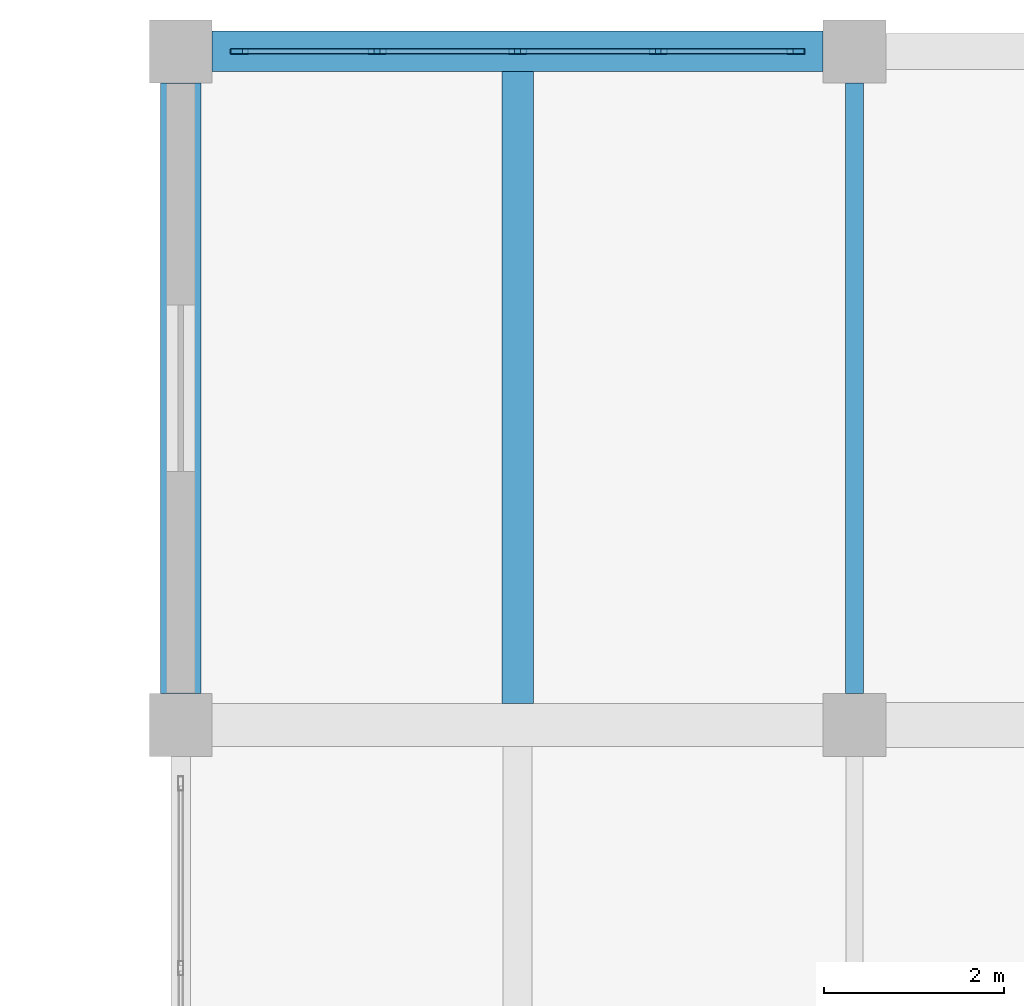
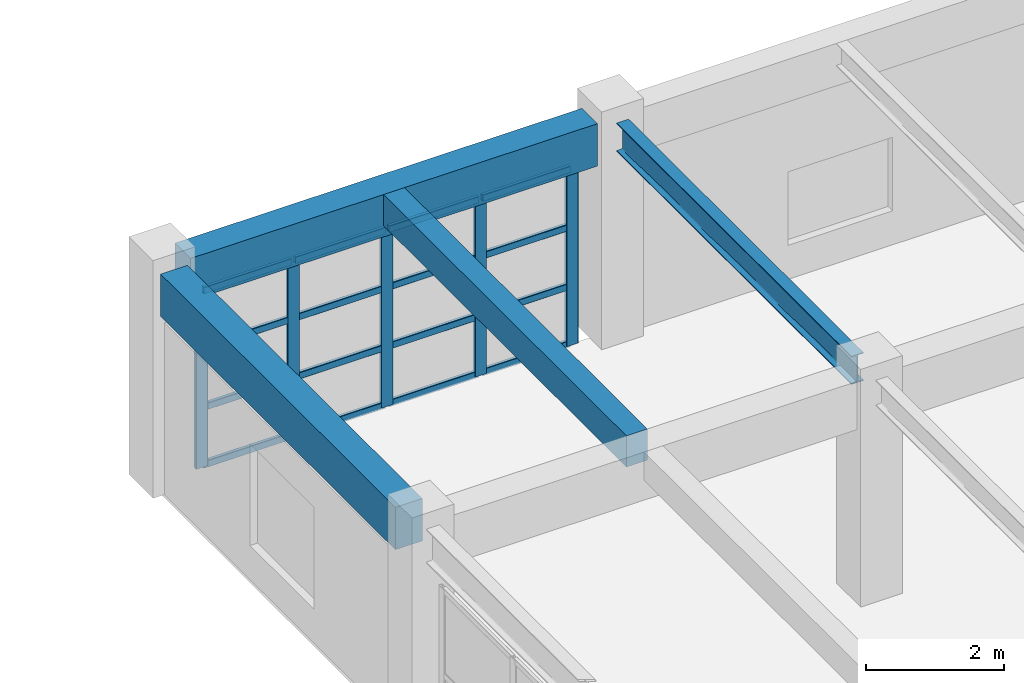
# One storey, part 63 of 132: 21 members, 4 beams, 1 element without a shape of its own.
"""IFC4 building model written with IfcOpenShell, lengths in metres."""

import ifcopenshell
import ifcopenshell.guid

model = None  # the IFC model being written
_history = None  # IfcOwnerHistory: only IFC2X3 demands one
_inside = {}  # id of a spatial element -> (the spatial element, [elements in it])
_under = {}  # id of a project, library or spatial element -> (it, [spatial elements below it])
_declared = {}  # id of a project -> (the project, [libraries it declares])
_typed = {}  # id of a type object -> (the type object, [elements of that type])
_made_of = {}  # id of a material, layer set ... -> (it, [elements and type objects made of it])


def new_model(schema):
    """Start an empty IFC model of exactly this schema.

    Asked for "IFC4X3", IfcOpenShell would pick the latest addendum, in which some entities
    have other attributes; the version numbers below select the first issue.
    IFC2X3 requires an IfcOwnerHistory on every rooted entity: one is made here for all.
    """
    global model, _history
    if schema == "IFC4X3":
        model = ifcopenshell.file(schema_version=(4, 3, 0, 0))
    else:
        model = ifcopenshell.file(schema=schema)
    _inside.clear()
    _under.clear()
    _declared.clear()
    _typed.clear()
    _made_of.clear()
    _history = None
    if model.schema == "IFC2X3":
        org = make("IfcOrganization", Name="unknown")
        user = make(
            "IfcPersonAndOrganization",
            ThePerson=make("IfcPerson", FamilyName="unknown"),
            TheOrganization=org,
        )
        app = make(
            "IfcApplication",
            ApplicationDeveloper=org,
            Version="unknown",
            ApplicationFullName="unknown",
            ApplicationIdentifier="unknown",
        )
        _history = make(
            "IfcOwnerHistory",
            OwningUser=user,
            OwningApplication=app,
            ChangeAction="ADDED",
            CreationDate=0,
        )
    return model


def make(cls, **values):
    """One entity of the class cls with the attributes given. An attribute that is None is left unset."""
    return model.create_entity(
        cls, **{name: value for name, value in values.items() if value is not None}
    )


def rooted(cls, **values):
    """An entity with a GlobalId (a new one), such as an element, a storey or a relation."""
    return make(cls, GlobalId=ifcopenshell.guid.new(), OwnerHistory=_history, **values)


def si_unit(unit_type, name, prefix=None):
    """IfcSIUnit, for example si_unit("LENGTHUNIT", "METRE", prefix="MILLI")."""
    return make("IfcSIUnit", UnitType=unit_type, Prefix=prefix, Name=name)


def assignment(units):
    """IfcUnitAssignment: the units of a project."""
    return None if units is None else make("IfcUnitAssignment", Units=units)


def point(xyz):
    """IfcCartesianPoint."""
    return None if xyz is None else make("IfcCartesianPoint", Coordinates=xyz)


def direction(xyz):
    """IfcDirection."""
    return None if xyz is None else make("IfcDirection", DirectionRatios=xyz)


def frame(location, z_axis=None, x_axis=None):
    """IfcAxis2Placement3D, a coordinate frame: its origin and axes. An axis left out is left unset."""
    return make(
        "IfcAxis2Placement3D",
        Location=point(location),
        Axis=direction(z_axis),
        RefDirection=direction(x_axis),
    )


def frame_2d(location, x_axis=None):
    """IfcAxis2Placement2D, a coordinate frame in the plane: its origin and x axis."""
    return make(
        "IfcAxis2Placement2D", Location=point(location), RefDirection=direction(x_axis)
    )


def origin():
    """The frame at (0, 0, 0) with its axes left unset."""
    return frame((0.0, 0.0, 0.0))


def origin_2d():
    """The frame at (0, 0) in the plane with its x axis left unset."""
    return frame_2d((0.0, 0.0))


def place(relative_to, where):
    """IfcLocalPlacement: puts the frame where relative to a parent placement (None: the world)."""
    return make(
        "IfcLocalPlacement", PlacementRelTo=relative_to, RelativePlacement=where
    )


def context(
    kind, dimensions, precision=None, world=None, true_north=None, identifier=None
):
    """IfcGeometricRepresentationContext, for example the 3D "Model" context."""
    return make(
        "IfcGeometricRepresentationContext",
        ContextIdentifier=identifier,
        ContextType=kind,
        CoordinateSpaceDimension=dimensions,
        Precision=precision,
        WorldCoordinateSystem=world,
        TrueNorth=true_north,
    )


def subcontext(parent, identifier, kind, view, scale=None):
    """IfcGeometricRepresentationSubContext, for example "Body" below "Model"."""
    return make(
        "IfcGeometricRepresentationSubContext",
        ContextIdentifier=identifier,
        ContextType=kind,
        ParentContext=parent,
        TargetScale=scale,
        TargetView=view,
    )


def project(units=None, contexts=None):
    """IfcProject with its units and contexts."""
    return rooted(
        "IfcProject",
        Name="project",
        RepresentationContexts=contexts,
        UnitsInContext=assignment(units),
    )


def spatial(cls, under=None, at=None, **own):
    """A site, building, storey or space (cls), placed at a placement, below another one or the project."""
    s = rooted(cls, ObjectPlacement=at, **own)
    if under is not None:
        _under.setdefault(under.id(), (under, []))[1].append(s)
    return s


def profile(cls, at=None, kind="AREA", **sizes):
    """A parametric profile (cls). Its sizes go by their IFC names, for example OverallWidth=200.0."""
    return make(cls, ProfileType=kind, Position=at, **sizes)


def rectangle(**sizes):
    """IfcRectangleProfileDef."""
    return profile("IfcRectangleProfileDef", **sizes)


def hollow_rectangle(**sizes):
    """IfcRectangleHollowProfileDef."""
    return profile("IfcRectangleHollowProfileDef", **sizes)


def i_section(**sizes):
    """IfcIShapeProfileDef."""
    return profile("IfcIShapeProfileDef", **sizes)


def extrude(swept, where, along, depth):
    """IfcExtrudedAreaSolid: the profile swept, set in the frame where, extruded along a direction by depth."""
    return make(
        "IfcExtrudedAreaSolid",
        SweptArea=swept,
        Position=where,
        ExtrudedDirection=direction(along),
        Depth=depth,
    )


def shape(context_of_items, identifier, shape_type, items):
    """IfcShapeRepresentation: the items that make up one representation, for example the "Body"."""
    return make(
        "IfcShapeRepresentation",
        ContextOfItems=context_of_items,
        RepresentationIdentifier=identifier,
        RepresentationType=shape_type,
        Items=items,
    )


def material(Name=None, Category=None):
    """IfcMaterial."""
    return make("IfcMaterial", Name=Name, Category=Category)


def material_profile(
    of_material, cross_section, Name=None, Category=None, Priority=None
):
    """IfcMaterialProfile: a cross section and its material."""
    return make(
        "IfcMaterialProfile",
        Name=Name,
        Material=of_material,
        Profile=cross_section,
        Priority=Priority,
        Category=Category,
    )


def profile_set(profiles, Name=None, composite=None):
    """IfcMaterialProfileSet."""
    return make(
        "IfcMaterialProfileSet",
        Name=Name,
        MaterialProfiles=profiles,
        CompositeProfile=composite,
    )


def made_of(thing, what):
    """Note that an element or type object is made of a material, layer set ...; save() writes the relation."""
    if what is not None:
        _made_of.setdefault(what.id(), (what, []))[1].append(thing)
    return thing


def type_object(cls, material=None, **own):
    """A type object (cls), such as IfcWallType, which elements share."""
    return made_of(rooted(cls, **own), material)


def element(
    cls,
    number,
    at=None,
    inside=None,
    cuts=None,
    type_object=None,
    material=None,
    context=None,
    identifier="Body",
    shape_type=None,
    held_by="IfcProductDefinitionShape",
    body=None,
    shapes=None,
    **own,
):
    """One element of the class cls, such as IfcWall. Its Tag is "e" and its number.

    at: its placement. inside: the storey or other place that contains it. cuts: it is an
    opening in that element (IfcRelVoidsElement). A single representation is given by context,
    identifier, shape_type and body (its items); several are given by shapes. held_by: the class
    of the entity that holds the representations. save() writes the other relations.
    """
    e = rooted(cls, Tag="e%d" % number, ObjectPlacement=at, **own)
    if body is not None:
        shapes = [shape(context, identifier, shape_type, body)]
    if shapes is not None:
        e.Representation = make(held_by, Representations=shapes)
    if inside is not None:
        _inside.setdefault(inside.id(), (inside, []))[1].append(e)
    if cuts is not None:
        rooted(
            "IfcRelVoidsElement", RelatingBuildingElement=cuts, RelatedOpeningElement=e
        )
    if type_object is not None:
        _typed.setdefault(type_object.id(), (type_object, []))[1].append(e)
    return made_of(e, material)


def aggregate(whole, parts):
    """IfcRelAggregates: a whole, such as a stair, and the parts it consists of."""
    return rooted("IfcRelAggregates", RelatingObject=whole, RelatedObjects=parts)


def save(model, path):
    """Write the relations noted so far, then the file.

    IfcRelAggregates (storeys below a building ...), IfcRelContainedInSpatialStructure (elements
    in a storey), IfcRelDefinesByType, IfcRelAssociatesMaterial and IfcRelDeclares: one each for
    every whole, place, type object, material and project.
    """
    for whole, parts in _under.values():
        aggregate(whole, parts)
    for where, things in _inside.values():
        rooted(
            "IfcRelContainedInSpatialStructure",
            RelatedElements=things,
            RelatingStructure=where,
        )
    for kind, things in _typed.values():
        rooted("IfcRelDefinesByType", RelatedObjects=things, RelatingType=kind)
    for what, things in _made_of.values():
        rooted("IfcRelAssociatesMaterial", RelatedObjects=things, RelatingMaterial=what)
    for by, libraries in _declared.values():
        rooted("IfcRelDeclares", RelatingContext=by, RelatedDefinitions=libraries)
    model.write(path)


model = new_model("IFC4")

# Units and contexts
model_context = context("Model", 3, precision=1e-05, world=origin(), true_north=direction((0.0, 1.0)))
body_context = subcontext(model_context, "Body", "Model", "MODEL_VIEW")
ifc_project = project(units=[si_unit("LENGTHUNIT", "METRE"), si_unit("AREAUNIT", "SQUARE_METRE"), si_unit("VOLUMEUNIT", "CUBIC_METRE"), si_unit("PLANEANGLEUNIT", "RADIAN"), si_unit("MASSUNIT", "GRAM", prefix="KILO")], contexts=[model_context])

# Site, building, storey
site_placement = place(None, origin())
site = spatial("IfcSite", under=ifc_project, at=site_placement, CompositionType="ELEMENT")
building_placement = place(site_placement, origin())
building = spatial("IfcBuilding", under=site, at=building_placement, Name="Qasida Concert Hall", CompositionType="ELEMENT")
storey_placement = place(building_placement, frame((0.0, 0.0, 4.800048828125)))
storey = spatial("IfcBuildingStorey", under=building, at=storey_placement, Name="L01", CompositionType="ELEMENT", Elevation=4.800048828125)

# Beams
ifc_material_1 = material(Name="Steel S355J2", Category="steel")
ifc_material_profile_1 = material_profile(ifc_material_1, i_section(OverallWidth=0.199951171875, OverallDepth=0.5, WebThickness=0.01025390625, FlangeThickness=0.01611328125, FilletRadius=0.02099609375, at=origin_2d()), Name="IPE 500")
ifc_profile_set_1 = profile_set([ifc_material_profile_1], Name="Steel S355J2")
beam_type_1 = type_object("IfcBeamType", Name="BM-B4", PredefinedType="BEAM", material=ifc_profile_set_1)
beam_1_placement = place(storey_placement, frame((127.5, 105.35009765625, 3.669921875), z_axis=(0.0, 1.0, 0.0), x_axis=(-1.0, 0.0, 0.0)))
element("IfcBeam", 1, at=beam_1_placement, inside=storey, type_object=beam_type_1, Name="L01 girder 1019", PredefinedType="BEAM", context=body_context, shape_type="SweptSolid", body=[
    extrude(i_section(OverallWidth=0.199951171875, OverallDepth=0.5, WebThickness=0.01025390625, FlangeThickness=0.01611328125, FilletRadius=0.02099609375, at=origin_2d()), origin(), (0.0, 0.0, 1.0), 6.7998046875),
])
ifc_material_2 = material(Name="Concrete C40/50", Category="concrete")
ifc_material_profile_2 = material_profile(ifc_material_2, rectangle(XDim=0.35009765625, YDim=0.550048828125, at=origin_2d()), Name="RC 350x550")
ifc_profile_set_2 = profile_set([ifc_material_profile_2], Name="Concrete C40/50")
beam_type_2 = type_object("IfcBeamType", Name="BM-J8", PredefinedType="JOIST", material=ifc_profile_set_2)
beam_2_placement = place(storey_placement, frame((123.75, 105.239990234375, 3.64501953125), z_axis=(0.0, 1.0, 0.0), x_axis=(-1.0, 0.0, 0.0)))
element("IfcBeam", 2, at=beam_2_placement, inside=storey, type_object=beam_type_2, Name="L01 secondary joist 1047", PredefinedType="JOIST", context=body_context, shape_type="SweptSolid", body=[
    extrude(rectangle(XDim=0.35009765625, YDim=0.550048828125, at=origin_2d()), origin(), (0.0, 0.0, 1.0), 7.034912109375),
])
ifc_material_profile_3 = material_profile(ifc_material_2, rectangle(XDim=0.449951171875, YDim=0.75, at=origin_2d()), Name="RC 450x750")
ifc_profile_set_3 = profile_set([ifc_material_profile_3], Name="Concrete C40/50")
beam_type_3 = type_object("IfcBeamType", Name="BM-SP4", PredefinedType="SPANDREL", material=ifc_profile_set_3)
for number, where, z_axis, x_axis, name in (
    (3, (120.35009765625, 112.5, 3.544921875), (1.0, 0.0, 0.0), (0.0, 1.0, 0.0), "Primary girder 1004"),
    (4, (120.0, 105.35009765625, 3.544921875), (0.0, 1.0, 0.0), (-1.0, 0.0, 0.0), "L01 girder 1014"),
):
    element("IfcBeam", number, at=place(storey_placement, frame(where, z_axis=z_axis, x_axis=x_axis)), inside=storey, type_object=beam_type_3, Name=name, PredefinedType="SPANDREL", context=body_context, shape_type="SweptSolid", body=[
        extrude(rectangle(XDim=0.449951171875, YDim=0.75, at=origin_2d()), origin(), (0.0, 0.0, 1.0), 6.7998046875),
    ])

# Curtain wall, members
ifc_material_3 = material(Name="Architectural bronze-anodized aluminium and low-E glass", Category="aluminium")
curtain_wall_type = type_object("IfcCurtainWallType", Name="CW-04", PredefinedType="NOTDEFINED", material=ifc_material_3)
curtain_wall_placement = place(storey_placement, origin())
curtain_wall = element("IfcCurtainWall", 5, at=curtain_wall_placement, inside=storey, type_object=curtain_wall_type, Name="L01 curtain wall CW-04 0161", PredefinedType="NOTDEFINED")
ifc_material_4 = material(Name="Architectural bronze-anodized aluminium EN AW-6063", Category="aluminium")
ifc_material_profile_4 = material_profile(ifc_material_4, hollow_rectangle(XDim=0.06494140625, YDim=0.199951171875, WallThickness=0.0048828125, InnerFilletRadius=0.0048828125, OuterFilletRadius=0.010009765625, at=origin_2d()), Name="CWM 200x65x5")
ifc_profile_set_4 = profile_set([ifc_material_profile_4], Name="Architectural bronze-anodized aluminium EN AW-6063")
member_type_1 = type_object("IfcMemberType", Name="MB-CWM-2", PredefinedType="MULLION", material=ifc_profile_set_4)
member_1_placement = place(storey_placement, frame((120.652587890625, 112.5, 0.0), z_axis=(0.0, 0.0, 1.0), x_axis=(0.0, 1.0, 0.0)))
member_1 = element("IfcMember", 6, at=member_1_placement, type_object=member_type_1, Name="CW-04 mullion 1", PredefinedType="MULLION", context=body_context, shape_type="SweptSolid", body=[
    extrude(hollow_rectangle(XDim=0.06494140625, YDim=0.199951171875, WallThickness=0.0048828125, InnerFilletRadius=0.0048828125, OuterFilletRadius=0.010009765625, at=origin_2d()), origin(), (0.0, 0.0, 1.0), 3.139892578125),
])
member_2_placement = place(storey_placement, frame((122.18505859375, 112.5, 0.0), z_axis=(0.0, 0.0, 1.0), x_axis=(0.0, 1.0, 0.0)))
member_2 = element("IfcMember", 7, at=member_2_placement, type_object=member_type_1, Name="CW-04 mullion 2", PredefinedType="MULLION", context=body_context, shape_type="SweptSolid", body=[
    extrude(hollow_rectangle(XDim=0.06494140625, YDim=0.199951171875, WallThickness=0.0048828125, InnerFilletRadius=0.0048828125, OuterFilletRadius=0.010009765625, at=origin_2d()), origin(), (0.0, 0.0, 1.0), 3.139892578125),
])
member_3_placement = place(storey_placement, frame((123.75, 112.5, 0.0), z_axis=(0.0, 0.0, 1.0), x_axis=(0.0, 1.0, 0.0)))
member_3 = element("IfcMember", 8, at=member_3_placement, type_object=member_type_1, Name="CW-04 mullion 3", PredefinedType="MULLION", context=body_context, shape_type="SweptSolid", body=[
    extrude(hollow_rectangle(XDim=0.06494140625, YDim=0.199951171875, WallThickness=0.0048828125, InnerFilletRadius=0.0048828125, OuterFilletRadius=0.010009765625, at=origin_2d()), origin(), (0.0, 0.0, 1.0), 3.139892578125),
])
member_4_placement = place(storey_placement, frame((125.31494140625, 112.5, 0.0), z_axis=(0.0, 0.0, 1.0), x_axis=(0.0, 1.0, 0.0)))
member_4 = element("IfcMember", 9, at=member_4_placement, type_object=member_type_1, Name="CW-04 mullion 4", PredefinedType="MULLION", context=body_context, shape_type="SweptSolid", body=[
    extrude(hollow_rectangle(XDim=0.06494140625, YDim=0.199951171875, WallThickness=0.0048828125, InnerFilletRadius=0.0048828125, OuterFilletRadius=0.010009765625, at=origin_2d()), origin(), (0.0, 0.0, 1.0), 3.139892578125),
])
member_5_placement = place(storey_placement, frame((126.847412109375, 112.5, 0.0), z_axis=(0.0, 0.0, 1.0), x_axis=(0.0, 1.0, 0.0)))
member_5 = element("IfcMember", 10, at=member_5_placement, type_object=member_type_1, Name="CW-04 mullion 5", PredefinedType="MULLION", context=body_context, shape_type="SweptSolid", body=[
    extrude(hollow_rectangle(XDim=0.06494140625, YDim=0.199951171875, WallThickness=0.0048828125, InnerFilletRadius=0.0048828125, OuterFilletRadius=0.010009765625, at=origin_2d()), origin(), (0.0, 0.0, 1.0), 3.139892578125),
])
ifc_material_profile_5 = material_profile(ifc_material_4, hollow_rectangle(XDim=0.06005859375, YDim=0.1201171875, WallThickness=0.00390625, InnerFilletRadius=0.00390625, OuterFilletRadius=0.008056640625, at=origin_2d()), Name="CWT 120x60x4")
ifc_profile_set_5 = profile_set([ifc_material_profile_5], Name="Architectural bronze-anodized aluminium EN AW-6063")
member_type_2 = type_object("IfcMemberType", Name="MB-CWT-2", PredefinedType="USERDEFINED", material=ifc_profile_set_5)
member_6_placement = place(storey_placement, frame((120.68505859375, 112.5, 0.030029296875), z_axis=(1.0, 0.0, 0.0), x_axis=(0.0, 1.0, 0.0)))
member_6 = element("IfcMember", 11, at=member_6_placement, type_object=member_type_2, Name="CW-04 transom 1.1", ObjectType="TRANSOM", PredefinedType="USERDEFINED", context=body_context, shape_type="SweptSolid", body=[
    extrude(hollow_rectangle(XDim=0.06005859375, YDim=0.1201171875, WallThickness=0.00390625, InnerFilletRadius=0.00390625, OuterFilletRadius=0.008056640625, at=origin_2d()), origin(), (0.0, 0.0, 1.0), 1.467529296875),
])
member_7_placement = place(storey_placement, frame((120.68505859375, 112.5, 1.046630859375), z_axis=(1.0, 0.0, 0.0), x_axis=(0.0, 1.0, 0.0)))
member_7 = element("IfcMember", 12, at=member_7_placement, type_object=member_type_2, Name="CW-04 transom 1.2", ObjectType="TRANSOM", PredefinedType="USERDEFINED", context=body_context, shape_type="SweptSolid", body=[
    extrude(hollow_rectangle(XDim=0.06005859375, YDim=0.1201171875, WallThickness=0.00390625, InnerFilletRadius=0.00390625, OuterFilletRadius=0.008056640625, at=origin_2d()), origin(), (0.0, 0.0, 1.0), 1.467529296875),
])
member_8_placement = place(storey_placement, frame((120.68505859375, 112.5, 2.09326171875), z_axis=(1.0, 0.0, 0.0), x_axis=(0.0, 1.0, 0.0)))
member_8 = element("IfcMember", 13, at=member_8_placement, type_object=member_type_2, Name="CW-04 transom 1.3", ObjectType="TRANSOM", PredefinedType="USERDEFINED", context=body_context, shape_type="SweptSolid", body=[
    extrude(hollow_rectangle(XDim=0.06005859375, YDim=0.1201171875, WallThickness=0.00390625, InnerFilletRadius=0.00390625, OuterFilletRadius=0.008056640625, at=origin_2d()), origin(), (0.0, 0.0, 1.0), 1.467529296875),
])
member_9_placement = place(storey_placement, frame((120.68505859375, 112.5, 3.10986328125), z_axis=(1.0, 0.0, 0.0), x_axis=(0.0, 1.0, 0.0)))
member_9 = element("IfcMember", 14, at=member_9_placement, type_object=member_type_2, Name="CW-04 transom 1.4", ObjectType="TRANSOM", PredefinedType="USERDEFINED", context=body_context, shape_type="SweptSolid", body=[
    extrude(hollow_rectangle(XDim=0.06005859375, YDim=0.1201171875, WallThickness=0.00390625, InnerFilletRadius=0.00390625, OuterFilletRadius=0.008056640625, at=origin_2d()), origin(), (0.0, 0.0, 1.0), 1.467529296875),
])
member_10_placement = place(storey_placement, frame((122.217529296875, 112.5, 0.030029296875), z_axis=(1.0, 0.0, 0.0), x_axis=(0.0, 1.0, 0.0)))
member_10 = element("IfcMember", 15, at=member_10_placement, type_object=member_type_2, Name="CW-04 transom 2.1", ObjectType="TRANSOM", PredefinedType="USERDEFINED", context=body_context, shape_type="SweptSolid", body=[
    extrude(hollow_rectangle(XDim=0.06005859375, YDim=0.1201171875, WallThickness=0.00390625, InnerFilletRadius=0.00390625, OuterFilletRadius=0.008056640625, at=origin_2d()), origin(), (0.0, 0.0, 1.0), 1.5),
])
member_11_placement = place(storey_placement, frame((122.217529296875, 112.5, 1.046630859375), z_axis=(1.0, 0.0, 0.0), x_axis=(0.0, 1.0, 0.0)))
member_11 = element("IfcMember", 16, at=member_11_placement, type_object=member_type_2, Name="CW-04 transom 2.2", ObjectType="TRANSOM", PredefinedType="USERDEFINED", context=body_context, shape_type="SweptSolid", body=[
    extrude(hollow_rectangle(XDim=0.06005859375, YDim=0.1201171875, WallThickness=0.00390625, InnerFilletRadius=0.00390625, OuterFilletRadius=0.008056640625, at=origin_2d()), origin(), (0.0, 0.0, 1.0), 1.5),
])
member_12_placement = place(storey_placement, frame((122.217529296875, 112.5, 2.09326171875), z_axis=(1.0, 0.0, 0.0), x_axis=(0.0, 1.0, 0.0)))
member_12 = element("IfcMember", 17, at=member_12_placement, type_object=member_type_2, Name="CW-04 transom 2.3", ObjectType="TRANSOM", PredefinedType="USERDEFINED", context=body_context, shape_type="SweptSolid", body=[
    extrude(hollow_rectangle(XDim=0.06005859375, YDim=0.1201171875, WallThickness=0.00390625, InnerFilletRadius=0.00390625, OuterFilletRadius=0.008056640625, at=origin_2d()), origin(), (0.0, 0.0, 1.0), 1.5),
])
member_13_placement = place(storey_placement, frame((122.217529296875, 112.5, 3.10986328125), z_axis=(1.0, 0.0, 0.0), x_axis=(0.0, 1.0, 0.0)))
member_13 = element("IfcMember", 18, at=member_13_placement, type_object=member_type_2, Name="CW-04 transom 2.4", ObjectType="TRANSOM", PredefinedType="USERDEFINED", context=body_context, shape_type="SweptSolid", body=[
    extrude(hollow_rectangle(XDim=0.06005859375, YDim=0.1201171875, WallThickness=0.00390625, InnerFilletRadius=0.00390625, OuterFilletRadius=0.008056640625, at=origin_2d()), origin(), (0.0, 0.0, 1.0), 1.5),
])
member_14_placement = place(storey_placement, frame((123.782470703125, 112.5, 0.030029296875), z_axis=(1.0, 0.0, 0.0), x_axis=(0.0, 1.0, 0.0)))
member_14 = element("IfcMember", 19, at=member_14_placement, type_object=member_type_2, Name="CW-04 transom 3.1", ObjectType="TRANSOM", PredefinedType="USERDEFINED", context=body_context, shape_type="SweptSolid", body=[
    extrude(hollow_rectangle(XDim=0.06005859375, YDim=0.1201171875, WallThickness=0.00390625, InnerFilletRadius=0.00390625, OuterFilletRadius=0.008056640625, at=origin_2d()), origin(), (0.0, 0.0, 1.0), 1.5),
])
member_15_placement = place(storey_placement, frame((123.782470703125, 112.5, 1.046630859375), z_axis=(1.0, 0.0, 0.0), x_axis=(0.0, 1.0, 0.0)))
member_15 = element("IfcMember", 20, at=member_15_placement, type_object=member_type_2, Name="CW-04 transom 3.2", ObjectType="TRANSOM", PredefinedType="USERDEFINED", context=body_context, shape_type="SweptSolid", body=[
    extrude(hollow_rectangle(XDim=0.06005859375, YDim=0.1201171875, WallThickness=0.00390625, InnerFilletRadius=0.00390625, OuterFilletRadius=0.008056640625, at=origin_2d()), origin(), (0.0, 0.0, 1.0), 1.5),
])
member_16_placement = place(storey_placement, frame((123.782470703125, 112.5, 2.09326171875), z_axis=(1.0, 0.0, 0.0), x_axis=(0.0, 1.0, 0.0)))
member_16 = element("IfcMember", 21, at=member_16_placement, type_object=member_type_2, Name="CW-04 transom 3.3", ObjectType="TRANSOM", PredefinedType="USERDEFINED", context=body_context, shape_type="SweptSolid", body=[
    extrude(hollow_rectangle(XDim=0.06005859375, YDim=0.1201171875, WallThickness=0.00390625, InnerFilletRadius=0.00390625, OuterFilletRadius=0.008056640625, at=origin_2d()), origin(), (0.0, 0.0, 1.0), 1.5),
])
member_17_placement = place(storey_placement, frame((123.782470703125, 112.5, 3.10986328125), z_axis=(1.0, 0.0, 0.0), x_axis=(0.0, 1.0, 0.0)))
member_17 = element("IfcMember", 22, at=member_17_placement, type_object=member_type_2, Name="CW-04 transom 3.4", ObjectType="TRANSOM", PredefinedType="USERDEFINED", context=body_context, shape_type="SweptSolid", body=[
    extrude(hollow_rectangle(XDim=0.06005859375, YDim=0.1201171875, WallThickness=0.00390625, InnerFilletRadius=0.00390625, OuterFilletRadius=0.008056640625, at=origin_2d()), origin(), (0.0, 0.0, 1.0), 1.5),
])
member_18_placement = place(storey_placement, frame((125.347412109375, 112.5, 0.030029296875), z_axis=(1.0, 0.0, 0.0), x_axis=(0.0, 1.0, 0.0)))
member_18 = element("IfcMember", 23, at=member_18_placement, type_object=member_type_2, Name="CW-04 transom 4.1", ObjectType="TRANSOM", PredefinedType="USERDEFINED", context=body_context, shape_type="SweptSolid", body=[
    extrude(hollow_rectangle(XDim=0.06005859375, YDim=0.1201171875, WallThickness=0.00390625, InnerFilletRadius=0.00390625, OuterFilletRadius=0.008056640625, at=origin_2d()), origin(), (0.0, 0.0, 1.0), 1.467529296875),
])
member_19_placement = place(storey_placement, frame((125.347412109375, 112.5, 1.046630859375), z_axis=(1.0, 0.0, 0.0), x_axis=(0.0, 1.0, 0.0)))
member_19 = element("IfcMember", 24, at=member_19_placement, type_object=member_type_2, Name="CW-04 transom 4.2", ObjectType="TRANSOM", PredefinedType="USERDEFINED", context=body_context, shape_type="SweptSolid", body=[
    extrude(hollow_rectangle(XDim=0.06005859375, YDim=0.1201171875, WallThickness=0.00390625, InnerFilletRadius=0.00390625, OuterFilletRadius=0.008056640625, at=origin_2d()), origin(), (0.0, 0.0, 1.0), 1.467529296875),
])
member_20_placement = place(storey_placement, frame((125.347412109375, 112.5, 2.09326171875), z_axis=(1.0, 0.0, 0.0), x_axis=(0.0, 1.0, 0.0)))
member_20 = element("IfcMember", 25, at=member_20_placement, type_object=member_type_2, Name="CW-04 transom 4.3", ObjectType="TRANSOM", PredefinedType="USERDEFINED", context=body_context, shape_type="SweptSolid", body=[
    extrude(hollow_rectangle(XDim=0.06005859375, YDim=0.1201171875, WallThickness=0.00390625, InnerFilletRadius=0.00390625, OuterFilletRadius=0.008056640625, at=origin_2d()), origin(), (0.0, 0.0, 1.0), 1.467529296875),
])
member_21_placement = place(storey_placement, frame((125.347412109375, 112.5, 3.10986328125), z_axis=(1.0, 0.0, 0.0), x_axis=(0.0, 1.0, 0.0)))
member_21 = element("IfcMember", 26, at=member_21_placement, type_object=member_type_2, Name="CW-04 transom 4.4", ObjectType="TRANSOM", PredefinedType="USERDEFINED", context=body_context, shape_type="SweptSolid", body=[
    extrude(hollow_rectangle(XDim=0.06005859375, YDim=0.1201171875, WallThickness=0.00390625, InnerFilletRadius=0.00390625, OuterFilletRadius=0.008056640625, at=origin_2d()), origin(), (0.0, 0.0, 1.0), 1.467529296875),
])
aggregate(curtain_wall, [member_1, member_2, member_3, member_4, member_5, member_6, member_7, member_8, member_9, member_10, member_11, member_12, member_13, member_14, member_15, member_16, member_17, member_18, member_19, member_20, member_21])

save(model, "model.ifc")
